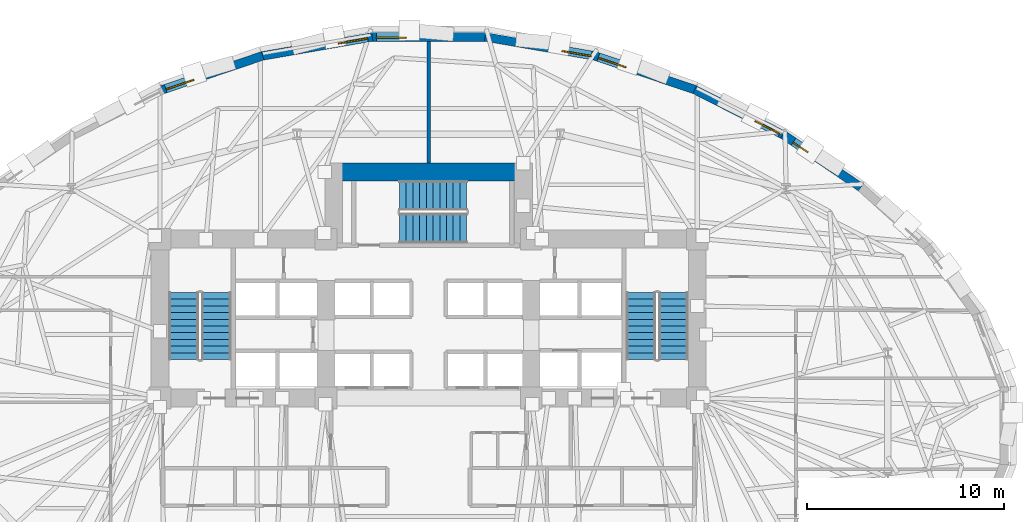
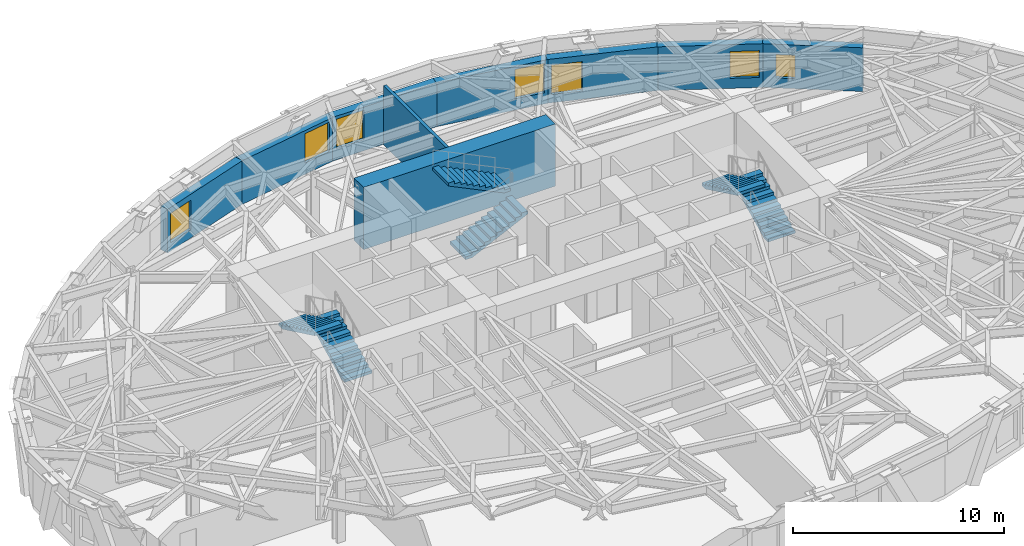
# One storey, part 10 of 14: 9 walls, 7 windows, 6 stair flights, 7 openings, 3 elements without a shape of their own.
"""IFC4 building model written with IfcOpenShell, lengths in metres."""

from ifc_helpers import new_model, si_unit, direction, frame, frame_2d, origin, place, context, subcontext, project, spatial, polyline, rectangle, outline, extrude, material, layer, layer_set, type_object, element, fill, aggregate, save


model = new_model("IFC4")

# Units and contexts
model_context = context("Model", 3, precision=1e-05, world=origin(), true_north=direction((0.0, 1.0)))
body_context = subcontext(model_context, "Body", "Model", "MODEL_VIEW")
ifc_project = project(units=[si_unit("LENGTHUNIT", "METRE"), si_unit("AREAUNIT", "SQUARE_METRE"), si_unit("VOLUMEUNIT", "CUBIC_METRE"), si_unit("PLANEANGLEUNIT", "RADIAN"), si_unit("MASSUNIT", "GRAM", prefix="KILO")], contexts=[model_context])

# Site, building, storey
site_placement = place(None, origin())
site = spatial("IfcSite", under=ifc_project, at=site_placement, CompositionType="ELEMENT")
building_placement = place(site_placement, origin())
building = spatial("IfcBuilding", under=site, at=building_placement, Name="Keldmark Tower", CompositionType="ELEMENT")
storey_placement = place(building_placement, frame((0.0, 0.0, 63.0)))
storey = spatial("IfcBuildingStorey", under=building, at=storey_placement, Name="L16", CompositionType="ELEMENT", Elevation=63.0)

# Walls
ifc_material_1 = material(Name="STC-58 Insulated Tenant Demising Gypsum Partition", Category="gypsum")
ifc_layer_1 = layer(ifc_material_1, 0.175048828125)
ifc_layer_set_1 = layer_set([ifc_layer_1], Name="STC-58 Insulated Tenant Demising Gypsum Partition")
wall_type_1 = type_object("IfcWallType", Name="Demising Suite Partition 175 mm", PredefinedType="PARTITIONING", material=ifc_layer_set_1)
wall_1_placement = place(storey_placement, frame((0.0, 13.300048828125, 0.0), z_axis=(0.0, 0.0, 1.0), x_axis=(0.0, 1.0, 0.0)))
element("IfcWall", 1, at=wall_1_placement, inside=storey, type_object=wall_type_1, Name="L16 Demising Suite Partition 175 mm N-MID-DIV", PredefinedType="PARTITIONING", context=body_context, shape_type="SweptSolid", body=[
    extrude(rectangle(XDim=6.1591796875, YDim=0.175048828125, at=frame_2d((3.07958984375, 0.0))), origin(), (0.0, 0.0, 1.0), 3.39990234375),
])
ifc_material_2 = material(Name="Concrete C70/85", Category="concrete")
ifc_layer_2 = layer(ifc_material_2, 0.89990234375)
ifc_layer_set_2 = layer_set([ifc_layer_2], Name="Concrete C70/85")
wall_type_2 = type_object("IfcWallType", Name="Lower Core Shear Wall 900 mm", PredefinedType="SHEAR", material=ifc_layer_set_2)
wall_2_placement = place(storey_placement, frame((-5.25, 12.85009765625, 0.0), z_axis=(0.0, 0.0, 1.0), x_axis=(1.0, 0.0, 0.0)))
element("IfcWall", 2, at=wall_2_placement, inside=storey, type_object=wall_type_2, Name="L16 North Core Shear Wall", PredefinedType="SHEAR", context=body_context, shape_type="SweptSolid", body=[
    extrude(rectangle(XDim=10.5, YDim=0.89990234375, at=frame_2d((5.25, 0.0))), origin(), (0.0, 0.0, 1.0), 3.60009765625),
])

# Wall, opening, window
ifc_material_3 = material(Name="Ironspot Manganese Brick and Kasota Buff Limestone Spandrel Assembly", Category="masonry")
ifc_layer_3 = layer(ifc_material_3, 0.43994140625)
ifc_layer_set_3 = layer_set([ifc_layer_3], Name="Ironspot Manganese Brick and Kasota Buff Limestone Spandrel Assembly")
wall_type_3 = type_object("IfcWallType", Name="Tower Brick Pier and Spandrel Wall 440 mm", PredefinedType="STANDARD", material=ifc_layer_set_3)
wall_3_placement = place(storey_placement, frame((17.944580078125, 14.7451171875, 0.0), z_axis=(0.0, 0.0, 1.0), x_axis=(0.827693991977, -0.561179699959, 0.0)))
wall_3 = element("IfcWall", 3, at=wall_3_placement, inside=storey, type_object=wall_type_3, Name="L16 Exterior Brick and Spandrel Wall 04", PredefinedType="STANDARD", context=body_context, shape_type="SweptSolid", body=[
    extrude(rectangle(XDim=4.769775390625, YDim=0.43994140625, at=frame_2d((2.384765625, 0.0))), origin(), (0.0, 0.0, 1.0), 2.529052734375),
])
opening_1_placement = place(wall_3_placement, frame((0.64599609375, 0.0, 0.580078125)))
opening_1 = element("IfcOpeningElement", 4, at=opening_1_placement, cuts=wall_3, Name="Opening W-09", PredefinedType="OPENING", context=body_context, shape_type="SweptSolid", body=[
    extrude(rectangle(XDim=0.89990234375, YDim=1.35009765625, at=frame_2d((0.449951171875, 0.675048828125))), frame((0.0, 0.22998046875, 0.0), z_axis=(0.0, -1.0, 0.0), x_axis=(1.0, 0.0, 0.0)), (0.0, 0.0, 1.0), 0.4599609375),
])
ifc_material_4 = material(Name="Thermally Broken Anodized Aluminum and Triple Low-E Argon Glazing", Category="aluminium")
window_type_1 = type_object("IfcWindowType", Name="Corner Pier Deep-Set Window 900x1350", PartitioningType="SINGLE_PANEL", PredefinedType="WINDOW", material=ifc_material_4)
window_1_placement = place(opening_1_placement, origin())
window_1 = element("IfcWindow", 5, at=window_1_placement, inside=storey, type_object=window_type_1, Name="L16 Deep-Set Window 04", OverallHeight=1.35009765625, OverallWidth=0.89990234375, PartitioningType="SINGLE_PANEL", PredefinedType="WINDOW", context=body_context, shape_type="SweptSolid", body=[
    extrude(rectangle(XDim=0.89990234375, YDim=1.35009765625, at=frame_2d((0.449951171875, 0.675048828125))), frame((0.0, -0.010009765625, 0.0), z_axis=(0.0, -1.0, 0.0), x_axis=(1.0, 0.0, 0.0)), (0.0, 0.0, 1.0), 0.06005859375),
])
fill(opening_1, window_1)

wall_4_placement = place(storey_placement, frame((13.47314453125, 17.020751953125, 0.0), z_axis=(0.0, 0.0, 1.0), x_axis=(0.891072734441, -0.45386053137, 0.0)))
wall_4 = element("IfcWall", 6, at=wall_4_placement, inside=storey, type_object=wall_type_3, Name="L16 Exterior Brick and Spandrel Wall 05", PredefinedType="STANDARD", context=body_context, shape_type="SweptSolid", body=[
    extrude(rectangle(XDim=5.044677734375, YDim=0.43994140625, at=frame_2d((2.5224609375, 0.0))), origin(), (0.0, 0.0, 1.0), 2.529052734375),
])
opening_2_placement = place(wall_4_placement, frame((3.444580078125, 0.0, 0.580078125)))
opening_2 = element("IfcOpeningElement", 7, at=opening_2_placement, cuts=wall_4, Name="Opening W-08", PredefinedType="OPENING", context=body_context, shape_type="SweptSolid", body=[
    extrude(rectangle(XDim=1.39990234375, YDim=1.550048828125, at=frame_2d((0.699951171875, 0.77490234375))), frame((0.0, 0.22998046875, 0.0), z_axis=(0.0, -1.0, 0.0), x_axis=(1.0, 0.0, 0.0)), (0.0, 0.0, 1.0), 0.4599609375),
])
ifc_material_5 = material(Name="Thermally Broken Anodized Aluminum and Triple Low-E Argon Glazing", Category="aluminium")
window_type_2 = type_object("IfcWindowType", Name="Residential Corner Punched Window 1400x1550", PartitioningType="SINGLE_PANEL", PredefinedType="WINDOW", material=ifc_material_5)
window_2_placement = place(opening_2_placement, origin())
window_2 = element("IfcWindow", 8, at=window_2_placement, inside=storey, type_object=window_type_2, Name="L16 Deep-Set Window 05", OverallHeight=1.550048828125, OverallWidth=1.39990234375, PartitioningType="SINGLE_PANEL", PredefinedType="WINDOW", context=body_context, shape_type="SweptSolid", body=[
    extrude(rectangle(XDim=1.39990234375, YDim=1.550048828125, at=frame_2d((0.699951171875, 0.77490234375))), frame((0.0, -0.010009765625, 0.0), z_axis=(0.0, -1.0, 0.0), x_axis=(1.0, 0.0, 0.0)), (0.0, 0.0, 1.0), 0.06005859375),
])
fill(opening_2, window_2)

wall_5_placement = place(storey_placement, frame((8.4033203125, 18.7314453125, 0.0), z_axis=(0.0, 0.0, 1.0), x_axis=(0.947368862969, -0.320144088616, 0.0)))
wall_5 = element("IfcWall", 9, at=wall_5_placement, inside=storey, type_object=wall_type_3, Name="L16 Exterior Brick and Spandrel Wall 06", PredefinedType="STANDARD", context=body_context, shape_type="SweptSolid", body=[
    extrude(rectangle(XDim=5.38232421875, YDim=0.43994140625, at=frame_2d((2.691162109375, 0.0))), origin(), (0.0, 0.0, 1.0), 2.529052734375),
])
opening_3_placement = place(wall_5_placement, frame((0.199951171875, 0.0, 0.47998046875)))
opening_3 = element("IfcOpeningElement", 10, at=opening_3_placement, cuts=wall_5, Name="Opening W-03", PredefinedType="OPENING", context=body_context, shape_type="SweptSolid", body=[
    extrude(rectangle(XDim=1.5, YDim=1.699951171875, at=frame_2d((0.75, 0.85009765625))), frame((0.0, 0.22998046875, 0.0), z_axis=(0.0, -1.0, 0.0), x_axis=(1.0, 0.0, 0.0)), (0.0, 0.0, 1.0), 0.4599609375),
])
ifc_material_6 = material(Name="Thermally Broken Anodized Aluminum and Triple Low-E Argon Glazing", Category="aluminium")
window_type_3 = type_object("IfcWindowType", Name="Office Corner Deep-Set Window 1500x1700", PartitioningType="DOUBLE_PANEL_VERTICAL", PredefinedType="WINDOW", material=ifc_material_6)
window_3_placement = place(opening_3_placement, origin())
window_3 = element("IfcWindow", 11, at=window_3_placement, inside=storey, type_object=window_type_3, Name="L16 Deep-Set Window 06", OverallHeight=1.699951171875, OverallWidth=1.5, PartitioningType="SINGLE_PANEL", PredefinedType="WINDOW", context=body_context, shape_type="SweptSolid", body=[
    extrude(rectangle(XDim=1.5, YDim=1.699951171875, at=frame_2d((0.75, 0.85009765625))), frame((0.0, -0.010009765625, 0.0), z_axis=(0.0, -1.0, 0.0), x_axis=(1.0, 0.0, 0.0)), (0.0, 0.0, 1.0), 0.06005859375),
])
fill(opening_3, window_3)

wall_6_placement = place(storey_placement, frame((2.854248046875, 19.6904296875, 0.0), z_axis=(0.0, 0.0, 1.0), x_axis=(0.985308697227, -0.170782818716, 0.0)))
wall_6 = element("IfcWall", 12, at=wall_6_placement, inside=storey, type_object=wall_type_3, Name="L16 Exterior Brick and Spandrel Wall 07", PredefinedType="STANDARD", context=body_context, shape_type="SweptSolid", body=[
    extrude(rectangle(XDim=5.665283203125, YDim=0.43994140625, at=frame_2d((2.83251953125, 0.0))), origin(), (0.0, 0.0, 1.0), 2.529052734375),
])
opening_4_placement = place(wall_6_placement, frame((3.965087890625, 0.0, 0.64990234375)))
opening_4 = element("IfcOpeningElement", 13, at=opening_4_placement, cuts=wall_6, Name="Opening W-03", PredefinedType="OPENING", context=body_context, shape_type="SweptSolid", body=[
    extrude(rectangle(XDim=1.5, YDim=1.699951171875, at=frame_2d((0.75, 0.85009765625))), frame((0.0, 0.22998046875, 0.0), z_axis=(0.0, -1.0, 0.0), x_axis=(1.0, 0.0, 0.0)), (0.0, 0.0, 1.0), 0.4599609375),
])
window_4_placement = place(opening_4_placement, origin())
window_4 = element("IfcWindow", 14, at=window_4_placement, inside=storey, type_object=window_type_3, Name="L16 Deep-Set Window 07", OverallHeight=1.699951171875, OverallWidth=1.5, PartitioningType="SINGLE_PANEL", PredefinedType="WINDOW", context=body_context, shape_type="SweptSolid", body=[
    extrude(rectangle(XDim=1.5, YDim=1.699951171875, at=frame_2d((0.75, 0.85009765625))), frame((0.0, -0.010009765625, 0.0), z_axis=(0.0, -1.0, 0.0), x_axis=(1.0, 0.0, 0.0)), (0.0, 0.0, 1.0), 0.06005859375),
])
fill(opening_4, window_4)

wall_7_placement = place(storey_placement, frame((-2.891845703125, 19.687255859375, 0.0), z_axis=(0.0, 0.0, 1.0), x_axis=(1.0, 0.0, 0.0)))
wall_7 = element("IfcWall", 15, at=wall_7_placement, inside=storey, type_object=wall_type_3, Name="L16 Exterior Brick and Spandrel Wall 08", PredefinedType="STANDARD", context=body_context, shape_type="SweptSolid", body=[
    extrude(rectangle(XDim=5.78369140625, YDim=0.43994140625, at=frame_2d((2.891845703125, 0.0))), origin(), (0.0, 0.0, 1.0), 2.529052734375),
])
opening_5_placement = place(wall_7_placement, frame((0.249755859375, 0.0, 0.64990234375)))
opening_5 = element("IfcOpeningElement", 16, at=opening_5_placement, cuts=wall_7, Name="Opening W-03", PredefinedType="OPENING", context=body_context, shape_type="SweptSolid", body=[
    extrude(rectangle(XDim=1.5, YDim=1.699951171875, at=frame_2d((0.75, 0.85009765625))), frame((0.0, 0.22998046875, 0.0), z_axis=(0.0, -1.0, 0.0), x_axis=(1.0, 0.0, 0.0)), (0.0, 0.0, 1.0), 0.4599609375),
])
window_5_placement = place(opening_5_placement, origin())
window_5 = element("IfcWindow", 17, at=window_5_placement, inside=storey, type_object=window_type_3, Name="L16 Deep-Set Window 08", OverallHeight=1.699951171875, OverallWidth=1.5, PartitioningType="SINGLE_PANEL", PredefinedType="WINDOW", context=body_context, shape_type="SweptSolid", body=[
    extrude(rectangle(XDim=1.5, YDim=1.699951171875, at=frame_2d((0.75, 0.85009765625))), frame((0.0, -0.010009765625, 0.0), z_axis=(0.0, -1.0, 0.0), x_axis=(1.0, 0.0, 0.0)), (0.0, 0.0, 1.0), 0.06005859375),
])
fill(opening_5, window_5)

wall_8_placement = place(storey_placement, frame((-8.436279296875, 18.722900390625, 0.0), z_axis=(0.0, 0.0, 1.0), x_axis=(0.985308697227, 0.170782818716, 0.0)))
wall_8 = element("IfcWall", 18, at=wall_8_placement, inside=storey, type_object=wall_type_3, Name="L16 Exterior Brick and Spandrel Wall 09", PredefinedType="STANDARD", context=body_context, shape_type="SweptSolid", body=[
    extrude(rectangle(XDim=5.665283203125, YDim=0.43994140625, at=frame_2d((2.83251953125, 0.0))), origin(), (0.0, 0.0, 1.0), 2.529052734375),
])
opening_6_placement = place(wall_8_placement, frame((3.915771484375, 0.0, 0.64990234375)))
opening_6 = element("IfcOpeningElement", 19, at=opening_6_placement, cuts=wall_8, Name="Opening W-03", PredefinedType="OPENING", context=body_context, shape_type="SweptSolid", body=[
    extrude(rectangle(XDim=1.5, YDim=1.699951171875, at=frame_2d((0.75, 0.85009765625))), frame((0.0, 0.22998046875, 0.0), z_axis=(0.0, -1.0, 0.0), x_axis=(1.0, 0.0, 0.0)), (0.0, 0.0, 1.0), 0.4599609375),
])
window_6_placement = place(opening_6_placement, origin())
window_6 = element("IfcWindow", 20, at=window_6_placement, inside=storey, type_object=window_type_3, Name="L16 Deep-Set Window 09", OverallHeight=1.699951171875, OverallWidth=1.5, PartitioningType="SINGLE_PANEL", PredefinedType="WINDOW", context=body_context, shape_type="SweptSolid", body=[
    extrude(rectangle(XDim=1.5, YDim=1.699951171875, at=frame_2d((0.75, 0.85009765625))), frame((0.0, -0.010009765625, 0.0), z_axis=(0.0, -1.0, 0.0), x_axis=(1.0, 0.0, 0.0)), (0.0, 0.0, 1.0), 0.06005859375),
])
fill(opening_6, window_6)

wall_9_placement = place(storey_placement, frame((-13.50244140625, 17.00830078125, 0.0), z_axis=(0.0, 0.0, 1.0), x_axis=(0.947368862969, 0.320144088616, 0.0)))
wall_9 = element("IfcWall", 21, at=wall_9_placement, inside=storey, type_object=wall_type_3, Name="L16 Exterior Brick and Spandrel Wall 10", PredefinedType="STANDARD", context=body_context, shape_type="SweptSolid", body=[
    extrude(rectangle(XDim=5.38232421875, YDim=0.43994140625, at=frame_2d((2.691162109375, 0.0))), origin(), (0.0, 0.0, 1.0), 2.529052734375),
])
opening_7_placement = place(wall_9_placement, frame((0.199951171875, 0.0, 0.47998046875)))
opening_7 = element("IfcOpeningElement", 22, at=opening_7_placement, cuts=wall_9, Name="Opening W-03", PredefinedType="OPENING", context=body_context, shape_type="SweptSolid", body=[
    extrude(rectangle(XDim=1.5, YDim=1.699951171875, at=frame_2d((0.75, 0.85009765625))), frame((0.0, 0.22998046875, 0.0), z_axis=(0.0, -1.0, 0.0), x_axis=(1.0, 0.0, 0.0)), (0.0, 0.0, 1.0), 0.4599609375),
])
window_7_placement = place(opening_7_placement, origin())
window_7 = element("IfcWindow", 23, at=window_7_placement, inside=storey, type_object=window_type_3, Name="L16 Deep-Set Window 10", OverallHeight=1.699951171875, OverallWidth=1.5, PartitioningType="SINGLE_PANEL", PredefinedType="WINDOW", context=body_context, shape_type="SweptSolid", body=[
    extrude(rectangle(XDim=1.5, YDim=1.699951171875, at=frame_2d((0.75, 0.85009765625))), frame((0.0, -0.010009765625, 0.0), z_axis=(0.0, -1.0, 0.0), x_axis=(1.0, 0.0, 0.0)), (0.0, 0.0, 1.0), 0.06005859375),
])
fill(opening_7, window_7)

# Stair, stair flights
ifc_material_7 = material(Name="Concrete C40/50", Category="concrete")
stair_type = type_object("IfcStairType", Name="Precast Concrete Core Exit Stair", PredefinedType="HALF_TURN_STAIR", material=ifc_material_7)
stair_1_placement = place(storey_placement, origin())
stair_1 = element("IfcStair", 24, at=stair_1_placement, inside=storey, type_object=stair_type, Name="L16 Exit Stair ST1", PredefinedType="HALF_TURN_STAIR")
ifc_material_8 = material(Name="Concrete C40/50", Category="concrete")
stair_flight_type = type_object("IfcStairFlightType", Name="Precast Concrete Stair Flight 1500 mm", PredefinedType="STRAIGHT", material=ifc_material_8)
stair_flight_1_placement = place(storey_placement, frame((-10.75, 3.35009765625, 0.0), z_axis=(0.0, 0.0, 1.0), x_axis=(0.0, 1.0, 0.0)))
stair_flight_1 = element("IfcStairFlight", 25, at=stair_flight_1_placement, type_object=stair_flight_type, Name="ST1 flight 1", NumberOfRisers=11, NumberOfTreads=10, PredefinedType="STRAIGHT", RiserHeight=0.163636364, TreadLength=0.34, context=body_context, shape_type="SweptSolid", body=[
    extrude(outline(polyline([(0.0, 0.0), (0.0, 0.16357421875), (0.340087890625, 0.16357421875), (0.340087890625, 0.327392578125), (0.679931640625, 0.327392578125), (0.679931640625, 0.490966796875), (1.02001953125, 0.490966796875), (1.02001953125, 0.654541015625), (1.360107421875, 0.654541015625), (1.360107421875, 0.818115234375), (1.699951171875, 0.818115234375), (1.699951171875, 0.98193359375), (2.0400390625, 0.98193359375), (2.0400390625, 1.1455078125), (2.3798828125, 1.1455078125), (2.3798828125, 1.30908203125), (2.719970703125, 1.30908203125), (2.719970703125, 1.47265625), (3.06005859375, 1.47265625), (3.06005859375, 1.636474609375), (3.39990234375, 1.636474609375), (3.39990234375, 1.800048828125), (3.39990234375, 1.469970703125), (0.345703125, 0.0), (0.0, 0.0)])), frame((0.0, 0.75, 0.0), z_axis=(0.0, -1.0, 0.0), x_axis=(1.0, 0.0, 0.0)), (0.0, 0.0, 1.0), 1.5),
])
stair_flight_2_placement = place(storey_placement, frame((-12.39990234375, 6.75, 1.800048828125), z_axis=(0.0, 0.0, 1.0), x_axis=(0.0, -1.0, 0.0)))
stair_flight_2 = element("IfcStairFlight", 26, at=stair_flight_2_placement, type_object=stair_flight_type, Name="ST1 flight 2", NumberOfRisers=11, NumberOfTreads=10, PredefinedType="STRAIGHT", RiserHeight=0.163636364, TreadLength=0.34, context=body_context, shape_type="SweptSolid", body=[
    extrude(outline(polyline([(0.0, 0.0), (0.0, 0.16357421875), (0.340087890625, 0.16357421875), (0.340087890625, 0.327392578125), (0.679931640625, 0.327392578125), (0.679931640625, 0.490966796875), (1.02001953125, 0.490966796875), (1.02001953125, 0.654541015625), (1.360107421875, 0.654541015625), (1.360107421875, 0.818115234375), (1.699951171875, 0.818115234375), (1.699951171875, 0.98193359375), (2.0400390625, 0.98193359375), (2.0400390625, 1.1455078125), (2.3798828125, 1.1455078125), (2.3798828125, 1.30908203125), (2.719970703125, 1.30908203125), (2.719970703125, 1.47265625), (3.06005859375, 1.47265625), (3.06005859375, 1.636474609375), (3.39990234375, 1.636474609375), (3.39990234375, 1.800048828125), (3.39990234375, 1.469970703125), (0.345703125, 0.0), (0.0, 0.0)])), frame((0.0, 0.75, 0.0), z_axis=(0.0, -1.0, 0.0), x_axis=(1.0, 0.0, 0.0)), (0.0, 0.0, 1.0), 1.5),
])
aggregate(stair_1, [stair_flight_1, stair_flight_2])

stair_2_placement = place(storey_placement, origin())
stair_2 = element("IfcStair", 27, at=stair_2_placement, inside=storey, type_object=stair_type, Name="L16 Exit Stair ST2", PredefinedType="HALF_TURN_STAIR")
stair_flight_3_placement = place(storey_placement, frame((12.39990234375, 3.35009765625, 0.0), z_axis=(0.0, 0.0, 1.0), x_axis=(0.0, 1.0, 0.0)))
stair_flight_3 = element("IfcStairFlight", 28, at=stair_flight_3_placement, type_object=stair_flight_type, Name="ST2 flight 1", NumberOfRisers=11, NumberOfTreads=10, PredefinedType="STRAIGHT", RiserHeight=0.163636364, TreadLength=0.34, context=body_context, shape_type="SweptSolid", body=[
    extrude(outline(polyline([(0.0, 0.0), (0.0, 0.16357421875), (0.340087890625, 0.16357421875), (0.340087890625, 0.327392578125), (0.679931640625, 0.327392578125), (0.679931640625, 0.490966796875), (1.02001953125, 0.490966796875), (1.02001953125, 0.654541015625), (1.360107421875, 0.654541015625), (1.360107421875, 0.818115234375), (1.699951171875, 0.818115234375), (1.699951171875, 0.98193359375), (2.0400390625, 0.98193359375), (2.0400390625, 1.1455078125), (2.3798828125, 1.1455078125), (2.3798828125, 1.30908203125), (2.719970703125, 1.30908203125), (2.719970703125, 1.47265625), (3.06005859375, 1.47265625), (3.06005859375, 1.636474609375), (3.39990234375, 1.636474609375), (3.39990234375, 1.800048828125), (3.39990234375, 1.469970703125), (0.345703125, 0.0), (0.0, 0.0)])), frame((0.0, 0.75, 0.0), z_axis=(0.0, -1.0, 0.0), x_axis=(1.0, 0.0, 0.0)), (0.0, 0.0, 1.0), 1.5),
])
stair_flight_4_placement = place(storey_placement, frame((10.75, 6.75, 1.800048828125), z_axis=(0.0, 0.0, 1.0), x_axis=(0.0, -1.0, 0.0)))
stair_flight_4 = element("IfcStairFlight", 29, at=stair_flight_4_placement, type_object=stair_flight_type, Name="ST2 flight 2", NumberOfRisers=11, NumberOfTreads=10, PredefinedType="STRAIGHT", RiserHeight=0.163636364, TreadLength=0.34, context=body_context, shape_type="SweptSolid", body=[
    extrude(outline(polyline([(0.0, 0.0), (0.0, 0.16357421875), (0.340087890625, 0.16357421875), (0.340087890625, 0.327392578125), (0.679931640625, 0.327392578125), (0.679931640625, 0.490966796875), (1.02001953125, 0.490966796875), (1.02001953125, 0.654541015625), (1.360107421875, 0.654541015625), (1.360107421875, 0.818115234375), (1.699951171875, 0.818115234375), (1.699951171875, 0.98193359375), (2.0400390625, 0.98193359375), (2.0400390625, 1.1455078125), (2.3798828125, 1.1455078125), (2.3798828125, 1.30908203125), (2.719970703125, 1.30908203125), (2.719970703125, 1.47265625), (3.06005859375, 1.47265625), (3.06005859375, 1.636474609375), (3.39990234375, 1.636474609375), (3.39990234375, 1.800048828125), (3.39990234375, 1.469970703125), (0.345703125, 0.0), (0.0, 0.0)])), frame((0.0, 0.75, 0.0), z_axis=(0.0, -1.0, 0.0), x_axis=(1.0, 0.0, 0.0)), (0.0, 0.0, 1.0), 1.5),
])
aggregate(stair_2, [stair_flight_3, stair_flight_4])

stair_3_placement = place(storey_placement, origin())
stair_3 = element("IfcStair", 30, at=stair_3_placement, inside=storey, type_object=stair_type, Name="L16 Exit Stair ST3", PredefinedType="HALF_TURN_STAIR")
stair_flight_5_placement = place(storey_placement, frame((-1.47509765625, 10.0, 0.0), z_axis=(0.0, 0.0, 1.0), x_axis=(1.0, 0.0, 0.0)))
stair_flight_5 = element("IfcStairFlight", 31, at=stair_flight_5_placement, type_object=stair_flight_type, Name="ST3 flight 1", NumberOfRisers=11, NumberOfTreads=10, PredefinedType="STRAIGHT", RiserHeight=0.163636364, TreadLength=0.34, context=body_context, shape_type="SweptSolid", body=[
    extrude(outline(polyline([(0.0, 0.0), (0.0, 0.16357421875), (0.340087890625, 0.16357421875), (0.340087890625, 0.327392578125), (0.679931640625, 0.327392578125), (0.679931640625, 0.490966796875), (1.02001953125, 0.490966796875), (1.02001953125, 0.654541015625), (1.360107421875, 0.654541015625), (1.360107421875, 0.818115234375), (1.699951171875, 0.818115234375), (1.699951171875, 0.98193359375), (2.0400390625, 0.98193359375), (2.0400390625, 1.1455078125), (2.3798828125, 1.1455078125), (2.3798828125, 1.30908203125), (2.719970703125, 1.30908203125), (2.719970703125, 1.47265625), (3.06005859375, 1.47265625), (3.06005859375, 1.636474609375), (3.39990234375, 1.636474609375), (3.39990234375, 1.800048828125), (3.39990234375, 1.469970703125), (0.345703125, 0.0), (0.0, 0.0)])), frame((0.0, 0.75, 0.0), z_axis=(0.0, -1.0, 0.0), x_axis=(1.0, 0.0, 0.0)), (0.0, 0.0, 1.0), 1.5),
])
stair_flight_6_placement = place(storey_placement, frame((1.925048828125, 11.64990234375, 1.800048828125), z_axis=(0.0, 0.0, 1.0), x_axis=(-1.0, 0.0, 0.0)))
stair_flight_6 = element("IfcStairFlight", 32, at=stair_flight_6_placement, type_object=stair_flight_type, Name="ST3 flight 2", NumberOfRisers=11, NumberOfTreads=10, PredefinedType="STRAIGHT", RiserHeight=0.163636364, TreadLength=0.34, context=body_context, shape_type="SweptSolid", body=[
    extrude(outline(polyline([(0.0, 0.0), (0.0, 0.16357421875), (0.340087890625, 0.16357421875), (0.340087890625, 0.327392578125), (0.679931640625, 0.327392578125), (0.679931640625, 0.490966796875), (1.02001953125, 0.490966796875), (1.02001953125, 0.654541015625), (1.360107421875, 0.654541015625), (1.360107421875, 0.818115234375), (1.699951171875, 0.818115234375), (1.699951171875, 0.98193359375), (2.0400390625, 0.98193359375), (2.0400390625, 1.1455078125), (2.3798828125, 1.1455078125), (2.3798828125, 1.30908203125), (2.719970703125, 1.30908203125), (2.719970703125, 1.47265625), (3.06005859375, 1.47265625), (3.06005859375, 1.636474609375), (3.39990234375, 1.636474609375), (3.39990234375, 1.800048828125), (3.39990234375, 1.469970703125), (0.345703125, 0.0), (0.0, 0.0)])), frame((0.0, 0.75, 0.0), z_axis=(0.0, -1.0, 0.0), x_axis=(1.0, 0.0, 0.0)), (0.0, 0.0, 1.0), 1.5),
])
aggregate(stair_3, [stair_flight_5, stair_flight_6])

save(model, "model.ifc")
